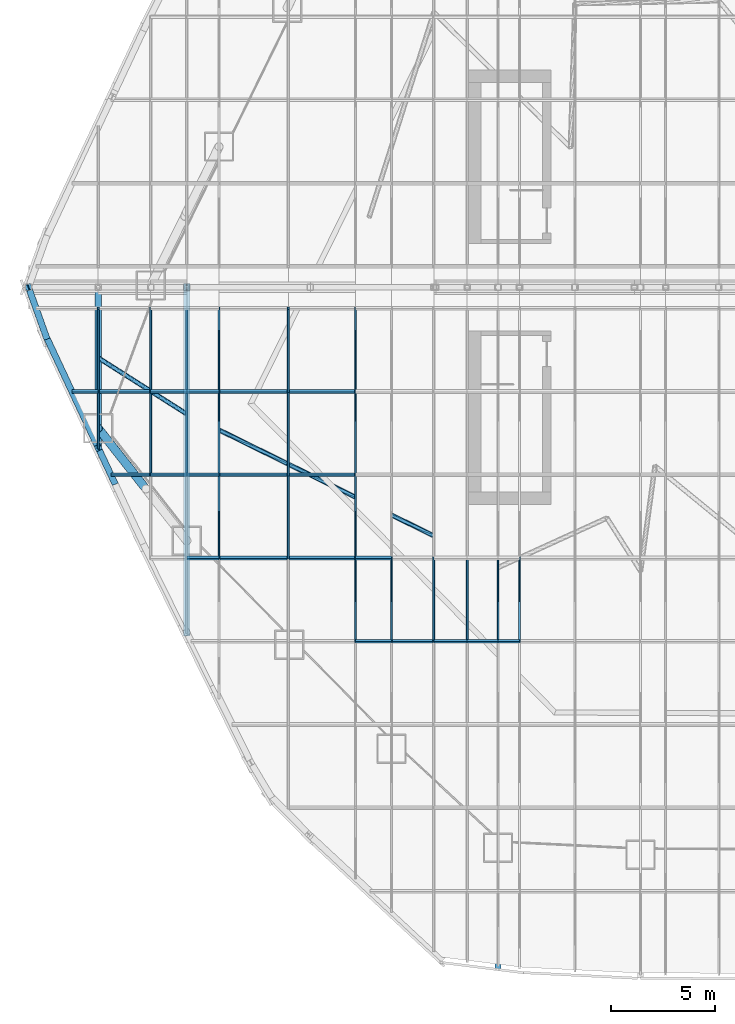
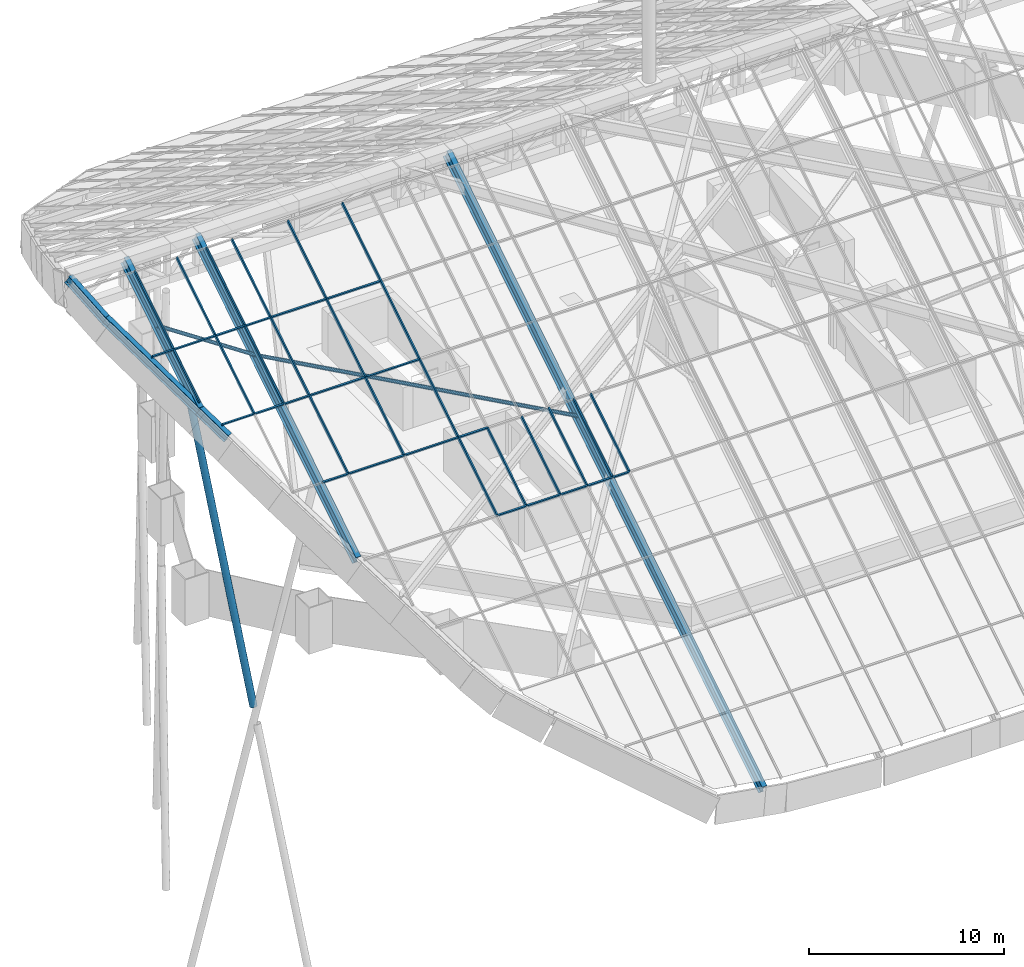
# One storey, part 3 of 38: 50 members, 22 elements without a shape of their own.
"""IFC4 building model written with IfcOpenShell, lengths in metres."""

from ifc_helpers import new_model, si_unit, direction, frame, origin, origin_2d, place, context, subcontext, project, spatial, rectangle, hollow_circle, i_section, extrude, material, layer, layer_set, material_profile, profile_set, type_object, element, aggregate, save


model = new_model("IFC4")

# Units and contexts
model_context = context("Model", 3, precision=1e-05, world=origin(), true_north=direction((0.0, 1.0)))
body_context = subcontext(model_context, "Body", "Model", "MODEL_VIEW")
ifc_project = project(units=[si_unit("LENGTHUNIT", "METRE"), si_unit("AREAUNIT", "SQUARE_METRE"), si_unit("VOLUMEUNIT", "CUBIC_METRE"), si_unit("PLANEANGLEUNIT", "RADIAN"), si_unit("MASSUNIT", "GRAM", prefix="KILO")], contexts=[model_context])

# Site, building, storey
site_placement = place(None, origin())
site = spatial("IfcSite", under=ifc_project, at=site_placement, CompositionType="ELEMENT")
building_placement = place(site_placement, origin())
building = spatial("IfcBuilding", under=site, at=building_placement, Name="Dongbaek Canopy Tower", CompositionType="ELEMENT")
storey_placement = place(building_placement, frame((0.0, 0.0, 375.800048828125)))
storey = spatial("IfcBuildingStorey", under=building, at=storey_placement, Name="Roof", CompositionType="ELEMENT", Elevation=375.800048828125)

# Member
ifc_material_1 = material(Name="Steel S355", Category="steel")
ifc_material_profile_1 = material_profile(ifc_material_1, hollow_circle(Radius=0.203125, WallThickness=0.0126953125, at=origin_2d()), Name="COLONNADE BRACE CHS 406.4x12.7 Steel S355")
ifc_profile_set_1 = profile_set([ifc_material_profile_1], Name="Steel S355")
member_type_1 = type_object("IfcMemberType", Name="COLONNADE BRACE CHS 406.4x12.7 Steel S355", PredefinedType="BRACE", material=ifc_profile_set_1)
member_1_placement = place(storey_placement, frame((-31.12890625, -6.7451171875, 13.43701171875), z_axis=(0.116833610632, -0.148493621094, -0.981987551816), x_axis=(0.785906651395, 0.618345158704, 0.0)))
element("IfcMember", 1, at=member_1_placement, inside=storey, type_object=member_type_1, Name="XBRACE:00:2", PredefinedType="BRACE", context=body_context, shape_type="SweptSolid", body=[
    extrude(hollow_circle(Radius=0.203125, WallThickness=0.0126953125, at=origin_2d()), origin(), (0.0, 0.0, 1.0), 18.522705078125),
])

# Curtain wall, member
ifc_material_2 = material(Name="Aluminium 6063-T6 pale anodised", Category="aluminium")
ifc_layer = layer(ifc_material_2, 0.199951171875)
ifc_layer_set = layer_set([ifc_layer], Name="CW-6 canopy glazing curtain wall")
curtain_wall_type = type_object("IfcCurtainWallType", Name="CW-6 canopy glazing curtain wall", PredefinedType="NOTDEFINED", material=ifc_layer_set)
curtain_wall_1_placement = place(storey_placement, origin())
curtain_wall_1 = element("IfcCurtainWall", 2, at=curtain_wall_1_placement, inside=storey, type_object=curtain_wall_type, Name="CW-6 canopy glazing south 1.1", PredefinedType="NOTDEFINED")
ifc_material_3 = material(Name="Aluminium 6063-T6 pale anodised", Category="aluminium")
ifc_material_profile_2 = material_profile(ifc_material_3, rectangle(XDim=0.080078125, YDim=0.199951171875, at=origin_2d()), Name="CW-6 mullion 80 x 200")
ifc_profile_set_2 = profile_set([ifc_material_profile_2], Name="Aluminium 6063-T6 pale anodised")
member_type_2 = type_object("IfcMemberType", Name="CW-6 mullion 80 x 200", PredefinedType="MULLION", material=ifc_profile_set_2)
member_2_placement = place(storey_placement, frame((-31.12890625, -1.0, 18.0986328125), z_axis=(0.0, -0.848068327403, -0.529886886095), x_axis=(1.0, 0.0, 0.0)))
member_2 = element("IfcMember", 3, at=member_2_placement, type_object=member_type_2, Name="CW-6 mullion S1.1.-31.1", PredefinedType="MULLION", context=body_context, shape_type="SweptSolid", body=[
    extrude(rectangle(XDim=0.080078125, YDim=0.199951171875, at=origin_2d()), origin(), (0.0, 0.0, 1.0), 4.700439453125),
])

curtain_wall_2_placement = place(storey_placement, origin())
curtain_wall_2 = element("IfcCurtainWall", 4, at=curtain_wall_2_placement, inside=storey, type_object=curtain_wall_type, Name="CW-6 canopy glazing south 1.2", PredefinedType="NOTDEFINED")
member_3_placement = place(storey_placement, frame((-31.12890625, -4.986328125, 15.60791015625), z_axis=(0.0, -0.848045809732, -0.52992292326), x_axis=(1.0, 0.0, 0.0)))
member_3 = element("IfcMember", 5, at=member_3_placement, type_object=member_type_2, Name="CW-6 mullion S1.2.-31.1", PredefinedType="MULLION", context=body_context, shape_type="SweptSolid", body=[
    extrude(rectangle(XDim=0.080078125, YDim=0.199951171875, at=origin_2d()), origin(), (0.0, 0.0, 1.0), 3.17578125),
])
aggregate(curtain_wall_2, [member_3])

curtain_wall_3_placement = place(storey_placement, origin())
curtain_wall_3 = element("IfcCurtainWall", 6, at=curtain_wall_3_placement, inside=storey, type_object=curtain_wall_type, Name="CW-6 canopy glazing south 2.1", PredefinedType="NOTDEFINED")
member_4_placement = place(storey_placement, frame((-28.616943359375, -1.0, 18.0986328125), z_axis=(0.0, -0.848068327403, -0.529886886095), x_axis=(1.0, 0.0, 0.0)))
member_4 = element("IfcMember", 7, at=member_4_placement, type_object=member_type_2, Name="CW-6 mullion S2.1.-28.6", PredefinedType="MULLION", context=body_context, shape_type="SweptSolid", body=[
    extrude(rectangle(XDim=0.080078125, YDim=0.199951171875, at=origin_2d()), origin(), (0.0, 0.0, 1.0), 4.700439453125),
])

curtain_wall_4_placement = place(storey_placement, origin())
curtain_wall_4 = element("IfcCurtainWall", 8, at=curtain_wall_4_placement, inside=storey, type_object=curtain_wall_type, Name="CW-6 canopy glazing south 2.2", PredefinedType="NOTDEFINED")
member_5_placement = place(storey_placement, frame((-28.616943359375, -4.986328125, 15.60791015625), z_axis=(0.0, -0.848030400431, -0.529947582262), x_axis=(1.0, 0.0, 0.0)))
member_5 = element("IfcMember", 9, at=member_5_placement, type_object=member_type_2, Name="CW-6 mullion S2.2.-28.6", PredefinedType="MULLION", context=body_context, shape_type="SweptSolid", body=[
    extrude(rectangle(XDim=0.080078125, YDim=0.199951171875, at=origin_2d()), origin(), (0.0, 0.0, 1.0), 4.700439453125),
])

curtain_wall_5_placement = place(storey_placement, origin())
curtain_wall_5 = element("IfcCurtainWall", 10, at=curtain_wall_5_placement, inside=storey, type_object=curtain_wall_type, Name="CW-6 canopy glazing south 3.1", PredefinedType="NOTDEFINED")
member_6_placement = place(storey_placement, frame((-26.888916015625, -1.0, 18.0986328125), z_axis=(0.0, -0.848068327403, -0.529886886095), x_axis=(1.0, 0.0, 0.0)))
member_6 = element("IfcMember", 11, at=member_6_placement, type_object=member_type_2, Name="CW-6 mullion S3.1.-26.9", PredefinedType="MULLION", context=body_context, shape_type="SweptSolid", body=[
    extrude(rectangle(XDim=0.080078125, YDim=0.199951171875, at=origin_2d()), origin(), (0.0, 0.0, 1.0), 4.700439453125),
])

curtain_wall_6_placement = place(storey_placement, origin())
curtain_wall_6 = element("IfcCurtainWall", 12, at=curtain_wall_6_placement, inside=storey, type_object=curtain_wall_type, Name="CW-6 canopy glazing south 3.2", PredefinedType="NOTDEFINED")
member_7_placement = place(storey_placement, frame((-26.888916015625, -4.986328125, 15.60791015625), z_axis=(0.0, -0.848030400431, -0.529947582262), x_axis=(1.0, 0.0, 0.0)))
member_7 = element("IfcMember", 13, at=member_7_placement, type_object=member_type_2, Name="CW-6 mullion S3.2.-26.9", PredefinedType="MULLION", context=body_context, shape_type="SweptSolid", body=[
    extrude(rectangle(XDim=0.080078125, YDim=0.199951171875, at=origin_2d()), origin(), (0.0, 0.0, 1.0), 4.700439453125),
])

curtain_wall_7_placement = place(storey_placement, origin())
curtain_wall_7 = element("IfcCurtainWall", 14, at=curtain_wall_7_placement, inside=storey, type_object=curtain_wall_type, Name="CW-6 canopy glazing south 4.1", PredefinedType="NOTDEFINED")
member_8_placement = place(storey_placement, frame((-25.346923828125, -1.0, 18.0986328125), z_axis=(0.0, -0.848068327403, -0.529886886095), x_axis=(1.0, 0.0, 0.0)))
member_8 = element("IfcMember", 15, at=member_8_placement, type_object=member_type_2, Name="CW-6 mullion S4.1.-25.3", PredefinedType="MULLION", context=body_context, shape_type="SweptSolid", body=[
    extrude(rectangle(XDim=0.080078125, YDim=0.199951171875, at=origin_2d()), origin(), (0.0, 0.0, 1.0), 4.700439453125),
])

curtain_wall_8_placement = place(storey_placement, origin())
curtain_wall_8 = element("IfcCurtainWall", 16, at=curtain_wall_8_placement, inside=storey, type_object=curtain_wall_type, Name="CW-6 canopy glazing south 4.2", PredefinedType="NOTDEFINED")
member_9_placement = place(storey_placement, frame((-25.346923828125, -4.986328125, 15.60791015625), z_axis=(0.0, -0.848030400431, -0.529947582262), x_axis=(1.0, 0.0, 0.0)))
member_9 = element("IfcMember", 17, at=member_9_placement, type_object=member_type_2, Name="CW-6 mullion S4.2.-25.3", PredefinedType="MULLION", context=body_context, shape_type="SweptSolid", body=[
    extrude(rectangle(XDim=0.080078125, YDim=0.199951171875, at=origin_2d()), origin(), (0.0, 0.0, 1.0), 4.700439453125),
])

curtain_wall_9_placement = place(storey_placement, origin())
curtain_wall_9 = element("IfcCurtainWall", 18, at=curtain_wall_9_placement, inside=storey, type_object=curtain_wall_type, Name="CW-6 canopy glazing south 4.3", PredefinedType="NOTDEFINED")
member_10_placement = place(storey_placement, frame((-25.346923828125, -8.972412109375, 13.116943359375), z_axis=(0.0, -0.848068327403, -0.529886886095), x_axis=(1.0, 0.0, 0.0)))
member_10 = element("IfcMember", 19, at=member_10_placement, type_object=member_type_2, Name="CW-6 mullion S4.3.-25.3", PredefinedType="MULLION", context=body_context, shape_type="SweptSolid", body=[
    extrude(rectangle(XDim=0.080078125, YDim=0.199951171875, at=origin_2d()), origin(), (0.0, 0.0, 1.0), 4.700439453125),
])

curtain_wall_10_placement = place(storey_placement, origin())
curtain_wall_10 = element("IfcCurtainWall", 20, at=curtain_wall_10_placement, inside=storey, type_object=curtain_wall_type, Name="CW-6 canopy glazing south 5.1", PredefinedType="NOTDEFINED")
member_11_placement = place(storey_placement, frame((-22.031005859375, -1.0, 18.0986328125), z_axis=(0.0, -0.848068327403, -0.529886886095), x_axis=(1.0, 0.0, 0.0)))
member_11 = element("IfcMember", 21, at=member_11_placement, type_object=member_type_2, Name="CW-6 mullion S5.1.-22.0", PredefinedType="MULLION", context=body_context, shape_type="SweptSolid", body=[
    extrude(rectangle(XDim=0.080078125, YDim=0.199951171875, at=origin_2d()), origin(), (0.0, 0.0, 1.0), 4.700439453125),
])

curtain_wall_11_placement = place(storey_placement, origin())
curtain_wall_11 = element("IfcCurtainWall", 22, at=curtain_wall_11_placement, inside=storey, type_object=curtain_wall_type, Name="CW-6 canopy glazing south 5.2", PredefinedType="NOTDEFINED")
member_12_placement = place(storey_placement, frame((-22.031005859375, -4.986328125, 15.60791015625), z_axis=(0.0, -0.848030400431, -0.529947582262), x_axis=(1.0, 0.0, 0.0)))
member_12 = element("IfcMember", 23, at=member_12_placement, type_object=member_type_2, Name="CW-6 mullion S5.2.-22.0", PredefinedType="MULLION", context=body_context, shape_type="SweptSolid", body=[
    extrude(rectangle(XDim=0.080078125, YDim=0.199951171875, at=origin_2d()), origin(), (0.0, 0.0, 1.0), 4.700439453125),
])

curtain_wall_12_placement = place(storey_placement, origin())
curtain_wall_12 = element("IfcCurtainWall", 24, at=curtain_wall_12_placement, inside=storey, type_object=curtain_wall_type, Name="CW-6 canopy glazing south 5.3", PredefinedType="NOTDEFINED")
member_13_placement = place(storey_placement, frame((-22.031005859375, -8.972412109375, 13.116943359375), z_axis=(0.0, -0.848068327403, -0.529886886095), x_axis=(1.0, 0.0, 0.0)))
member_13 = element("IfcMember", 25, at=member_13_placement, type_object=member_type_2, Name="CW-6 mullion S5.3.-22.0", PredefinedType="MULLION", context=body_context, shape_type="SweptSolid", body=[
    extrude(rectangle(XDim=0.080078125, YDim=0.199951171875, at=origin_2d()), origin(), (0.0, 0.0, 1.0), 4.700439453125),
])

curtain_wall_13_placement = place(storey_placement, origin())
curtain_wall_13 = element("IfcCurtainWall", 26, at=curtain_wall_13_placement, inside=storey, type_object=curtain_wall_type, Name="CW-6 canopy glazing south 6.1", PredefinedType="NOTDEFINED")
member_14_placement = place(storey_placement, frame((-18.805908203125, -1.0, 18.0986328125), z_axis=(0.0, -0.848068327403, -0.529886886095), x_axis=(1.0, 0.0, 0.0)))
member_14 = element("IfcMember", 27, at=member_14_placement, type_object=member_type_2, Name="CW-6 mullion S6.1.-18.8", PredefinedType="MULLION", context=body_context, shape_type="SweptSolid", body=[
    extrude(rectangle(XDim=0.080078125, YDim=0.199951171875, at=origin_2d()), origin(), (0.0, 0.0, 1.0), 4.700439453125),
])

curtain_wall_14_placement = place(storey_placement, origin())
curtain_wall_14 = element("IfcCurtainWall", 28, at=curtain_wall_14_placement, inside=storey, type_object=curtain_wall_type, Name="CW-6 canopy glazing south 6.2", PredefinedType="NOTDEFINED")
member_15_placement = place(storey_placement, frame((-18.805908203125, -4.986328125, 15.60791015625), z_axis=(0.0, -0.848030400431, -0.529947582262), x_axis=(1.0, 0.0, 0.0)))
member_15 = element("IfcMember", 29, at=member_15_placement, type_object=member_type_2, Name="CW-6 mullion S6.2.-18.8", PredefinedType="MULLION", context=body_context, shape_type="SweptSolid", body=[
    extrude(rectangle(XDim=0.080078125, YDim=0.199951171875, at=origin_2d()), origin(), (0.0, 0.0, 1.0), 4.700439453125),
])

curtain_wall_15_placement = place(storey_placement, origin())
curtain_wall_15 = element("IfcCurtainWall", 30, at=curtain_wall_15_placement, inside=storey, type_object=curtain_wall_type, Name="CW-6 canopy glazing south 6.3", PredefinedType="NOTDEFINED")
member_16_placement = place(storey_placement, frame((-18.805908203125, -8.972412109375, 13.116943359375), z_axis=(0.0, -0.848068327403, -0.529886886095), x_axis=(1.0, 0.0, 0.0)))
member_16 = element("IfcMember", 31, at=member_16_placement, type_object=member_type_2, Name="CW-6 mullion S6.3.-18.8", PredefinedType="MULLION", context=body_context, shape_type="SweptSolid", body=[
    extrude(rectangle(XDim=0.080078125, YDim=0.199951171875, at=origin_2d()), origin(), (0.0, 0.0, 1.0), 4.700439453125),
])

curtain_wall_16_placement = place(storey_placement, origin())
curtain_wall_16 = element("IfcCurtainWall", 32, at=curtain_wall_16_placement, inside=storey, type_object=curtain_wall_type, Name="CW-6 canopy glazing south 6.4", PredefinedType="NOTDEFINED")
member_17_placement = place(storey_placement, frame((-18.805908203125, -12.958740234375, 10.626220703125), z_axis=(0.0, -0.848030400431, -0.529947582262), x_axis=(1.0, 0.0, 0.0)))
member_17 = element("IfcMember", 33, at=member_17_placement, type_object=member_type_2, Name="CW-6 mullion S6.4.-18.8", PredefinedType="MULLION", context=body_context, shape_type="SweptSolid", body=[
    extrude(rectangle(XDim=0.080078125, YDim=0.199951171875, at=origin_2d()), origin(), (0.0, 0.0, 1.0), 4.700439453125),
])
aggregate(curtain_wall_16, [member_17])

curtain_wall_17_placement = place(storey_placement, origin())
curtain_wall_17 = element("IfcCurtainWall", 34, at=curtain_wall_17_placement, inside=storey, type_object=curtain_wall_type, Name="CW-6 canopy glazing south 7.4", PredefinedType="NOTDEFINED")
member_18_placement = place(storey_placement, frame((-17.083984375, -12.958740234375, 10.626220703125), z_axis=(0.0, -0.848030400431, -0.529947582262), x_axis=(1.0, 0.0, 0.0)))
member_18 = element("IfcMember", 35, at=member_18_placement, type_object=member_type_2, Name="CW-6 mullion S7.4.-17.1", PredefinedType="MULLION", context=body_context, shape_type="SweptSolid", body=[
    extrude(rectangle(XDim=0.080078125, YDim=0.199951171875, at=origin_2d()), origin(), (0.0, 0.0, 1.0), 4.700439453125),
])

curtain_wall_18_placement = place(storey_placement, origin())
curtain_wall_18 = element("IfcCurtainWall", 36, at=curtain_wall_18_placement, inside=storey, type_object=curtain_wall_type, Name="CW-6 canopy glazing south 8.4", PredefinedType="NOTDEFINED")
member_19_placement = place(storey_placement, frame((-15.06201171875, -12.958740234375, 10.626220703125), z_axis=(0.0, -0.848030400431, -0.529947582262), x_axis=(1.0, 0.0, 0.0)))
member_19 = element("IfcMember", 37, at=member_19_placement, type_object=member_type_2, Name="CW-6 mullion S8.4.-15.1", PredefinedType="MULLION", context=body_context, shape_type="SweptSolid", body=[
    extrude(rectangle(XDim=0.080078125, YDim=0.199951171875, at=origin_2d()), origin(), (0.0, 0.0, 1.0), 4.700439453125),
])

curtain_wall_19_placement = place(storey_placement, origin())
curtain_wall_19 = element("IfcCurtainWall", 38, at=curtain_wall_19_placement, inside=storey, type_object=curtain_wall_type, Name="CW-6 canopy glazing south 9.4", PredefinedType="NOTDEFINED")
member_20_placement = place(storey_placement, frame((-13.464599609375, -12.958740234375, 10.626220703125), z_axis=(0.0, -0.848030400431, -0.529947582262), x_axis=(1.0, 0.0, 0.0)))
member_20 = element("IfcMember", 39, at=member_20_placement, type_object=member_type_2, Name="CW-6 mullion S9.4.-13.5", PredefinedType="MULLION", context=body_context, shape_type="SweptSolid", body=[
    extrude(rectangle(XDim=0.080078125, YDim=0.199951171875, at=origin_2d()), origin(), (0.0, 0.0, 1.0), 4.700439453125),
])

curtain_wall_20_placement = place(storey_placement, origin())
curtain_wall_20 = element("IfcCurtainWall", 40, at=curtain_wall_20_placement, inside=storey, type_object=curtain_wall_type, Name="CW-6 canopy glazing south 10.4", PredefinedType="NOTDEFINED")
member_21_placement = place(storey_placement, frame((-11.985107421875, -12.958740234375, 10.626220703125), z_axis=(0.0, -0.848030400431, -0.529947582262), x_axis=(1.0, 0.0, 0.0)))
member_21 = element("IfcMember", 41, at=member_21_placement, type_object=member_type_2, Name="CW-6 mullion S10.4.-12.0", PredefinedType="MULLION", context=body_context, shape_type="SweptSolid", body=[
    extrude(rectangle(XDim=0.080078125, YDim=0.199951171875, at=origin_2d()), origin(), (0.0, 0.0, 1.0), 4.700439453125),
])

curtain_wall_21_placement = place(storey_placement, origin())
curtain_wall_21 = element("IfcCurtainWall", 42, at=curtain_wall_21_placement, inside=storey, type_object=curtain_wall_type, Name="CW-6 canopy glazing south 11.4", PredefinedType="NOTDEFINED")
member_22_placement = place(storey_placement, frame((-10.964599609375, -12.958740234375, 10.626220703125), z_axis=(0.0, -0.848030400431, -0.529947582262), x_axis=(1.0, 0.0, 0.0)))
member_22 = element("IfcMember", 43, at=member_22_placement, type_object=member_type_2, Name="CW-6 mullion S11.4.-11.0", PredefinedType="MULLION", context=body_context, shape_type="SweptSolid", body=[
    extrude(rectangle(XDim=0.080078125, YDim=0.199951171875, at=origin_2d()), origin(), (0.0, 0.0, 1.0), 4.700439453125),
])

# Member
ifc_material_4 = material(Name="Aluminium 6063-T6 pale anodised", Category="aluminium")
ifc_material_profile_3 = material_profile(ifc_material_4, rectangle(XDim=0.080078125, YDim=0.199951171875, at=origin_2d()), Name="CW-6 transom 80 x 200")
ifc_profile_set_3 = profile_set([ifc_material_profile_3], Name="Aluminium 6063-T6 pale anodised")
member_type_3 = type_object("IfcMemberType", Name="CW-6 transom 80 x 200", PredefinedType="USERDEFINED", material=ifc_profile_set_3)
member_23_placement = place(storey_placement, frame((-32.389892578125, -4.986328125, 15.60791015625), z_axis=(1.0, 0.0, 0.0), x_axis=(0.0, 0.848048096156, 0.529919264233)))
member_23 = element("IfcMember", 44, at=member_23_placement, type_object=member_type_3, Name="CW-6 transom S1.1.2", ObjectType="TRANSOM", PredefinedType="USERDEFINED", context=body_context, shape_type="SweptSolid", body=[
    extrude(rectangle(XDim=0.080078125, YDim=0.199951171875, at=origin_2d()), origin(), (0.0, 0.0, 1.0), 1.260986328125),
])

aggregate(curtain_wall_1, [member_2, member_23])

member_24_placement = place(storey_placement, frame((-31.12890625, -4.986328125, 15.60791015625), z_axis=(1.0, 0.0, 0.0), x_axis=(0.0, 0.848048096156, 0.529919264233)))
member_24 = element("IfcMember", 45, at=member_24_placement, type_object=member_type_3, Name="CW-6 transom S2.1.2", ObjectType="TRANSOM", PredefinedType="USERDEFINED", context=body_context, shape_type="SweptSolid", body=[
    extrude(rectangle(XDim=0.080078125, YDim=0.199951171875, at=origin_2d()), origin(), (0.0, 0.0, 1.0), 2.511962890625),
])

aggregate(curtain_wall_3, [member_4, member_24])

member_25_placement = place(storey_placement, frame((-30.523681640625, -8.972412109375, 13.116943359375), z_axis=(1.0, 0.0, 0.0), x_axis=(0.0, 0.848048096156, 0.529919264233)))
member_25 = element("IfcMember", 46, at=member_25_placement, type_object=member_type_3, Name="CW-6 transom S2.2.3", ObjectType="TRANSOM", PredefinedType="USERDEFINED", context=body_context, shape_type="SweptSolid", body=[
    extrude(rectangle(XDim=0.080078125, YDim=0.199951171875, at=origin_2d()), origin(), (0.0, 0.0, 1.0), 1.90673828125),
])

aggregate(curtain_wall_4, [member_5, member_25])

member_26_placement = place(storey_placement, frame((-28.616943359375, -4.986328125, 15.60791015625), z_axis=(1.0, 0.0, 0.0), x_axis=(0.0, 0.848048096156, 0.529919264233)))
member_26 = element("IfcMember", 47, at=member_26_placement, type_object=member_type_3, Name="CW-6 transom S3.1.2", ObjectType="TRANSOM", PredefinedType="USERDEFINED", context=body_context, shape_type="SweptSolid", body=[
    extrude(rectangle(XDim=0.080078125, YDim=0.199951171875, at=origin_2d()), origin(), (0.0, 0.0, 1.0), 1.72802734375),
])

aggregate(curtain_wall_5, [member_6, member_26])

member_27_placement = place(storey_placement, frame((-28.616943359375, -8.972412109375, 13.116943359375), z_axis=(1.0, 0.0, 0.0), x_axis=(0.0, 0.848048096156, 0.529919264233)))
member_27 = element("IfcMember", 48, at=member_27_placement, type_object=member_type_3, Name="CW-6 transom S3.2.3", ObjectType="TRANSOM", PredefinedType="USERDEFINED", context=body_context, shape_type="SweptSolid", body=[
    extrude(rectangle(XDim=0.080078125, YDim=0.199951171875, at=origin_2d()), origin(), (0.0, 0.0, 1.0), 1.72802734375),
])

aggregate(curtain_wall_6, [member_7, member_27])

member_28_placement = place(storey_placement, frame((-26.888916015625, -4.986328125, 15.60791015625), z_axis=(1.0, 0.0, 0.0), x_axis=(0.0, 0.848048096156, 0.529919264233)))
member_28 = element("IfcMember", 49, at=member_28_placement, type_object=member_type_3, Name="CW-6 transom S4.1.2", ObjectType="TRANSOM", PredefinedType="USERDEFINED", context=body_context, shape_type="SweptSolid", body=[
    extrude(rectangle(XDim=0.080078125, YDim=0.199951171875, at=origin_2d()), origin(), (0.0, 0.0, 1.0), 1.5419921875),
])

aggregate(curtain_wall_7, [member_8, member_28])

member_29_placement = place(storey_placement, frame((-26.888916015625, -8.972412109375, 13.116943359375), z_axis=(1.0, 0.0, 0.0), x_axis=(0.0, 0.848048096156, 0.529919264233)))
member_29 = element("IfcMember", 50, at=member_29_placement, type_object=member_type_3, Name="CW-6 transom S4.2.3", ObjectType="TRANSOM", PredefinedType="USERDEFINED", context=body_context, shape_type="SweptSolid", body=[
    extrude(rectangle(XDim=0.080078125, YDim=0.199951171875, at=origin_2d()), origin(), (0.0, 0.0, 1.0), 1.5419921875),
])

aggregate(curtain_wall_8, [member_9, member_29])

member_30_placement = place(storey_placement, frame((-26.888916015625, -12.958740234375, 10.626220703125), z_axis=(1.0, 0.0, 0.0), x_axis=(0.0, 0.848048096156, 0.529919264233)))
member_30 = element("IfcMember", 51, at=member_30_placement, type_object=member_type_3, Name="CW-6 transom S4.3.4", ObjectType="TRANSOM", PredefinedType="USERDEFINED", context=body_context, shape_type="SweptSolid", body=[
    extrude(rectangle(XDim=0.080078125, YDim=0.199951171875, at=origin_2d()), origin(), (0.0, 0.0, 1.0), 1.5419921875),
])

aggregate(curtain_wall_9, [member_10, member_30])

member_31_placement = place(storey_placement, frame((-25.346923828125, -4.986328125, 15.60791015625), z_axis=(1.0, 0.0, 0.0), x_axis=(0.0, 0.848048096156, 0.529919264233)))
member_31 = element("IfcMember", 52, at=member_31_placement, type_object=member_type_3, Name="CW-6 transom S5.1.2", ObjectType="TRANSOM", PredefinedType="USERDEFINED", context=body_context, shape_type="SweptSolid", body=[
    extrude(rectangle(XDim=0.080078125, YDim=0.199951171875, at=origin_2d()), origin(), (0.0, 0.0, 1.0), 3.31591796875),
])

aggregate(curtain_wall_10, [member_11, member_31])

member_32_placement = place(storey_placement, frame((-25.346923828125, -8.972412109375, 13.116943359375), z_axis=(1.0, 0.0, 0.0), x_axis=(0.0, 0.848048096156, 0.529919264233)))
member_32 = element("IfcMember", 53, at=member_32_placement, type_object=member_type_3, Name="CW-6 transom S5.2.3", ObjectType="TRANSOM", PredefinedType="USERDEFINED", context=body_context, shape_type="SweptSolid", body=[
    extrude(rectangle(XDim=0.080078125, YDim=0.199951171875, at=origin_2d()), origin(), (0.0, 0.0, 1.0), 3.31591796875),
])

aggregate(curtain_wall_11, [member_12, member_32])

member_33_placement = place(storey_placement, frame((-25.346923828125, -12.958740234375, 10.626220703125), z_axis=(1.0, 0.0, 0.0), x_axis=(0.0, 0.848048096156, 0.529919264233)))
member_33 = element("IfcMember", 54, at=member_33_placement, type_object=member_type_3, Name="CW-6 transom S5.3.4", ObjectType="TRANSOM", PredefinedType="USERDEFINED", context=body_context, shape_type="SweptSolid", body=[
    extrude(rectangle(XDim=0.080078125, YDim=0.199951171875, at=origin_2d()), origin(), (0.0, 0.0, 1.0), 3.31591796875),
])

aggregate(curtain_wall_12, [member_13, member_33])

member_34_placement = place(storey_placement, frame((-22.031005859375, -4.986328125, 15.60791015625), z_axis=(1.0, 0.0, 0.0), x_axis=(0.0, 0.848048096156, 0.529919264233)))
member_34 = element("IfcMember", 55, at=member_34_placement, type_object=member_type_3, Name="CW-6 transom S6.1.2", ObjectType="TRANSOM", PredefinedType="USERDEFINED", context=body_context, shape_type="SweptSolid", body=[
    extrude(rectangle(XDim=0.080078125, YDim=0.199951171875, at=origin_2d()), origin(), (0.0, 0.0, 1.0), 3.22509765625),
])

aggregate(curtain_wall_13, [member_14, member_34])

member_35_placement = place(storey_placement, frame((-22.031005859375, -8.972412109375, 13.116943359375), z_axis=(1.0, 0.0, 0.0), x_axis=(0.0, 0.848048096156, 0.529919264233)))
member_35 = element("IfcMember", 56, at=member_35_placement, type_object=member_type_3, Name="CW-6 transom S6.2.3", ObjectType="TRANSOM", PredefinedType="USERDEFINED", context=body_context, shape_type="SweptSolid", body=[
    extrude(rectangle(XDim=0.080078125, YDim=0.199951171875, at=origin_2d()), origin(), (0.0, 0.0, 1.0), 3.22509765625),
])

aggregate(curtain_wall_14, [member_15, member_35])

member_36_placement = place(storey_placement, frame((-22.031005859375, -12.958740234375, 10.626220703125), z_axis=(1.0, 0.0, 0.0), x_axis=(0.0, 0.848048096156, 0.529919264233)))
member_36 = element("IfcMember", 57, at=member_36_placement, type_object=member_type_3, Name="CW-6 transom S6.3.4", ObjectType="TRANSOM", PredefinedType="USERDEFINED", context=body_context, shape_type="SweptSolid", body=[
    extrude(rectangle(XDim=0.080078125, YDim=0.199951171875, at=origin_2d()), origin(), (0.0, 0.0, 1.0), 3.22509765625),
])

aggregate(curtain_wall_15, [member_16, member_36])

# Curtain wall, member
curtain_wall_22_placement = place(storey_placement, origin())
curtain_wall_22 = element("IfcCurtainWall", 58, at=curtain_wall_22_placement, inside=storey, type_object=curtain_wall_type, Name="CW-6 canopy glazing south 7.3", PredefinedType="NOTDEFINED")
member_37_placement = place(storey_placement, frame((-18.805908203125, -12.958740234375, 10.626220703125), z_axis=(1.0, 0.0, 0.0), x_axis=(0.0, 0.848048096156, 0.529919264233)))
member_37 = element("IfcMember", 59, at=member_37_placement, type_object=member_type_3, Name="CW-6 transom S7.3.4", ObjectType="TRANSOM", PredefinedType="USERDEFINED", context=body_context, shape_type="SweptSolid", body=[
    extrude(rectangle(XDim=0.080078125, YDim=0.199951171875, at=origin_2d()), origin(), (0.0, 0.0, 1.0), 1.721923828125),
])
aggregate(curtain_wall_22, [member_37])

# Member
member_38_placement = place(storey_placement, frame((-18.805908203125, -16.94482421875, 8.13525390625), z_axis=(1.0, 0.0, 0.0), x_axis=(0.0, 0.848048096156, 0.529919264233)))
member_38 = element("IfcMember", 60, at=member_38_placement, type_object=member_type_3, Name="CW-6 transom S7.4.5", ObjectType="TRANSOM", PredefinedType="USERDEFINED", context=body_context, shape_type="SweptSolid", body=[
    extrude(rectangle(XDim=0.080078125, YDim=0.199951171875, at=origin_2d()), origin(), (0.0, 0.0, 1.0), 1.721923828125),
])

aggregate(curtain_wall_17, [member_18, member_38])

member_39_placement = place(storey_placement, frame((-17.083984375, -16.94482421875, 8.13525390625), z_axis=(1.0, 0.0, 0.0), x_axis=(0.0, 0.848048096156, 0.529919264233)))
member_39 = element("IfcMember", 61, at=member_39_placement, type_object=member_type_3, Name="CW-6 transom S8.4.5", ObjectType="TRANSOM", PredefinedType="USERDEFINED", context=body_context, shape_type="SweptSolid", body=[
    extrude(rectangle(XDim=0.080078125, YDim=0.199951171875, at=origin_2d()), origin(), (0.0, 0.0, 1.0), 2.02197265625),
])

aggregate(curtain_wall_18, [member_19, member_39])

member_40_placement = place(storey_placement, frame((-15.06201171875, -16.94482421875, 8.13525390625), z_axis=(1.0, 0.0, 0.0), x_axis=(0.0, 0.848048096156, 0.529919264233)))
member_40 = element("IfcMember", 62, at=member_40_placement, type_object=member_type_3, Name="CW-6 transom S9.4.5", ObjectType="TRANSOM", PredefinedType="USERDEFINED", context=body_context, shape_type="SweptSolid", body=[
    extrude(rectangle(XDim=0.080078125, YDim=0.199951171875, at=origin_2d()), origin(), (0.0, 0.0, 1.0), 1.597412109375),
])

aggregate(curtain_wall_19, [member_20, member_40])

member_41_placement = place(storey_placement, frame((-13.464599609375, -16.94482421875, 8.13525390625), z_axis=(1.0, 0.0, 0.0), x_axis=(0.0, 0.848048096156, 0.529919264233)))
member_41 = element("IfcMember", 63, at=member_41_placement, type_object=member_type_3, Name="CW-6 transom S10.4.5", ObjectType="TRANSOM", PredefinedType="USERDEFINED", context=body_context, shape_type="SweptSolid", body=[
    extrude(rectangle(XDim=0.080078125, YDim=0.199951171875, at=origin_2d()), origin(), (0.0, 0.0, 1.0), 1.4794921875),
])

aggregate(curtain_wall_20, [member_21, member_41])

member_42_placement = place(storey_placement, frame((-11.985107421875, -16.94482421875, 8.13525390625), z_axis=(1.0, 0.0, 0.0), x_axis=(0.0, 0.848048096156, 0.529919264233)))
member_42 = element("IfcMember", 64, at=member_42_placement, type_object=member_type_3, Name="CW-6 transom S11.4.5", ObjectType="TRANSOM", PredefinedType="USERDEFINED", context=body_context, shape_type="SweptSolid", body=[
    extrude(rectangle(XDim=0.080078125, YDim=0.199951171875, at=origin_2d()), origin(), (0.0, 0.0, 1.0), 1.0205078125),
])

aggregate(curtain_wall_21, [member_22, member_42])

# Members
ifc_material_5 = material(Name="Steel S355", Category="steel")
ifc_material_profile_4 = material_profile(ifc_material_5, i_section(OverallWidth=0.300048828125, OverallDepth=0.587890625, WebThickness=0.011962890625, FlangeThickness=0.02001953125, FilletRadius=0.028076171875, at=origin_2d()), Name="EAVES BEAM H 588x300x12x20 Steel S355")
ifc_profile_set_4 = profile_set([ifc_material_profile_4], Name="Steel S355")
member_type_4 = type_object("IfcMemberType", Name="EAVES BEAM H 588x300x12x20 Steel S355", PredefinedType="MEMBER", material=ifc_profile_set_4)
member_43_placement = place(storey_placement, frame((-33.627685546875, -2.34228515625, 16.7880859375), z_axis=(0.369022565825, -0.788197587837, -0.492510820633), x_axis=(0.905655364371, 0.424014576384, 0.0)))
element("IfcMember", 65, at=member_43_placement, inside=storey, type_object=member_type_4, Name="EAVE:00", PredefinedType="MEMBER", context=body_context, shape_type="SweptSolid", body=[
    extrude(i_section(OverallWidth=0.300048828125, OverallDepth=0.587890625, WebThickness=0.011962890625, FlangeThickness=0.02001953125, FilletRadius=0.028076171875, at=origin_2d()), origin(), (0.0, 0.0, 1.0), 6.771240234375),
])
member_44_placement = place(storey_placement, frame((-31.12890625, -7.679443359375, 13.453125), z_axis=(0.368928818626, -0.7881985696, -0.492579477514), x_axis=(0.905696929391, 0.423925786066, 0.0)))
element("IfcMember", 66, at=member_44_placement, inside=storey, type_object=member_type_4, Name="EAVE:01", PredefinedType="MEMBER", context=body_context, shape_type="SweptSolid", body=[
    extrude(i_section(OverallWidth=0.300048828125, OverallDepth=0.587890625, WebThickness=0.011962890625, FlangeThickness=0.02001953125, FilletRadius=0.028076171875, at=origin_2d()), origin(), (0.0, 0.0, 1.0), 2.051513671875),
])
member_45_placement = place(storey_placement, frame((-34.464599609375, 0.0, 18.251708984375), z_axis=(0.28999238228, -0.811606451458, -0.507148288148), x_axis=(0.941693046542, 0.336473187779, 0.0)))
element("IfcMember", 67, at=member_45_placement, inside=storey, type_object=member_type_4, Name="EAVE:62", PredefinedType="MEMBER", context=body_context, shape_type="SweptSolid", body=[
    extrude(i_section(OverallWidth=0.300048828125, OverallDepth=0.587890625, WebThickness=0.011962890625, FlangeThickness=0.02001953125, FilletRadius=0.028076171875, at=origin_2d()), origin(), (0.0, 0.0, 1.0), 2.885986328125),
])
ifc_material_6 = material(Name="Steel S355", Category="steel")
ifc_material_profile_5 = material_profile(ifc_material_6, hollow_circle(Radius=0.108154296875, WallThickness=0.00830078125, at=origin_2d()), Name="PURLIN CHS 216.3x8.2 Steel S355")
ifc_profile_set_5 = profile_set([ifc_material_profile_5], Name="Steel S355")
member_type_5 = type_object("IfcMemberType", Name="PURLIN CHS 216.3x8.2 Steel S355", PredefinedType="PURLIN", material=ifc_profile_set_5)
member_46_placement = place(storey_placement, frame((-31.12890625, -3.37255859375, 16.144287109375), z_axis=(0.800262420894, -0.508533199573, -0.317764130505), x_axis=(0.536331364955, 0.844007504093, 0.0)))
element("IfcMember", 68, at=member_46_placement, inside=storey, type_object=member_type_5, Name="PURLIN:0:00", PredefinedType="PURLIN", context=body_context, shape_type="SweptSolid", body=[
    extrude(hollow_circle(Radius=0.108154296875, WallThickness=0.00830078125, at=origin_2d()), origin(), (0.0, 0.0, 1.0), 5.29833984375),
])
member_47_placement = place(storey_placement, frame((-26.888916015625, -6.06689453125, 14.460693359375), z_axis=(0.864497103107, -0.426258277422, -0.266361858473), x_axis=(0.442234849913, 0.896899290624, 0.0)))
element("IfcMember", 69, at=member_47_placement, inside=storey, type_object=member_type_5, Name="PURLIN:0:01", PredefinedType="PURLIN", context=body_context, shape_type="SweptSolid", body=[
    extrude(hollow_circle(Radius=0.108154296875, WallThickness=0.00830078125, at=origin_2d()), origin(), (0.0, 0.0, 1.0), 17.23974609375),
])
ifc_material_7 = material(Name="Steel S355", Category="steel")
ifc_material_profile_6 = material_profile(ifc_material_7, i_section(OverallWidth=0.300048828125, OverallDepth=0.699951171875, WebThickness=0.012939453125, FlangeThickness=0.02392578125, FilletRadius=0.028076171875, at=origin_2d()), Name="RAFTER H 700x300x13x24 Steel S355")
ifc_profile_set_6 = profile_set([ifc_material_profile_6], Name="Steel S355")
member_type_6 = type_object("IfcMemberType", Name="RAFTER H 700x300x13x24 Steel S355", PredefinedType="RAFTER", material=ifc_profile_set_6)
member_48_placement = place(storey_placement, frame((-31.12890625, -7.679443359375, 13.453125), z_axis=(0.0, 0.848051312531, 0.529914116923), x_axis=(-1.0, 0.0, 0.0)))
element("IfcMember", 70, at=member_48_placement, inside=storey, type_object=member_type_6, Name="RAFTER:01", PredefinedType="RAFTER", context=body_context, shape_type="SweptSolid", body=[
    extrude(i_section(OverallWidth=0.300048828125, OverallDepth=0.699951171875, WebThickness=0.012939453125, FlangeThickness=0.02392578125, FilletRadius=0.028076171875, at=origin_2d()), origin(), (0.0, 0.0, 1.0), 9.055419921875),
])
member_49_placement = place(storey_placement, frame((-26.888916015625, -16.513916015625, 7.932861328125), z_axis=(0.0, 0.848052535042, 0.529912160466), x_axis=(-1.0, 0.0, 0.0)))
element("IfcMember", 71, at=member_49_placement, inside=storey, type_object=member_type_6, Name="RAFTER:02", PredefinedType="RAFTER", context=body_context, shape_type="SweptSolid", body=[
    extrude(i_section(OverallWidth=0.300048828125, OverallDepth=0.699951171875, WebThickness=0.012939453125, FlangeThickness=0.02392578125, FilletRadius=0.028076171875, at=origin_2d()), origin(), (0.0, 0.0, 1.0), 19.47265625),
])
member_50_placement = place(storey_placement, frame((-11.985107421875, -32.449462890625, -2.02490234375), z_axis=(0.0, 0.84804884216, 0.529918070376), x_axis=(-1.0, 0.0, 0.0)))
element("IfcMember", 72, at=member_50_placement, inside=storey, type_object=member_type_6, Name="RAFTER:05", PredefinedType="RAFTER", context=body_context, shape_type="SweptSolid", body=[
    extrude(i_section(OverallWidth=0.300048828125, OverallDepth=0.699951171875, WebThickness=0.012939453125, FlangeThickness=0.02392578125, FilletRadius=0.028076171875, at=origin_2d()), origin(), (0.0, 0.0, 1.0), 38.263671875),
])

save(model, "model.ifc")
